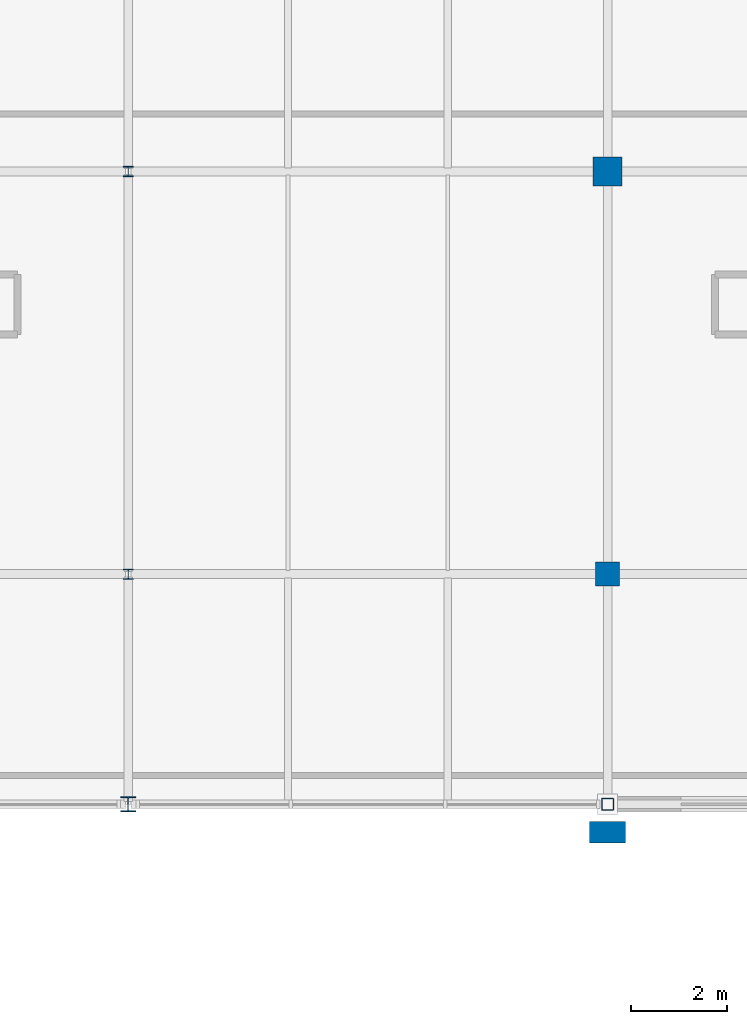
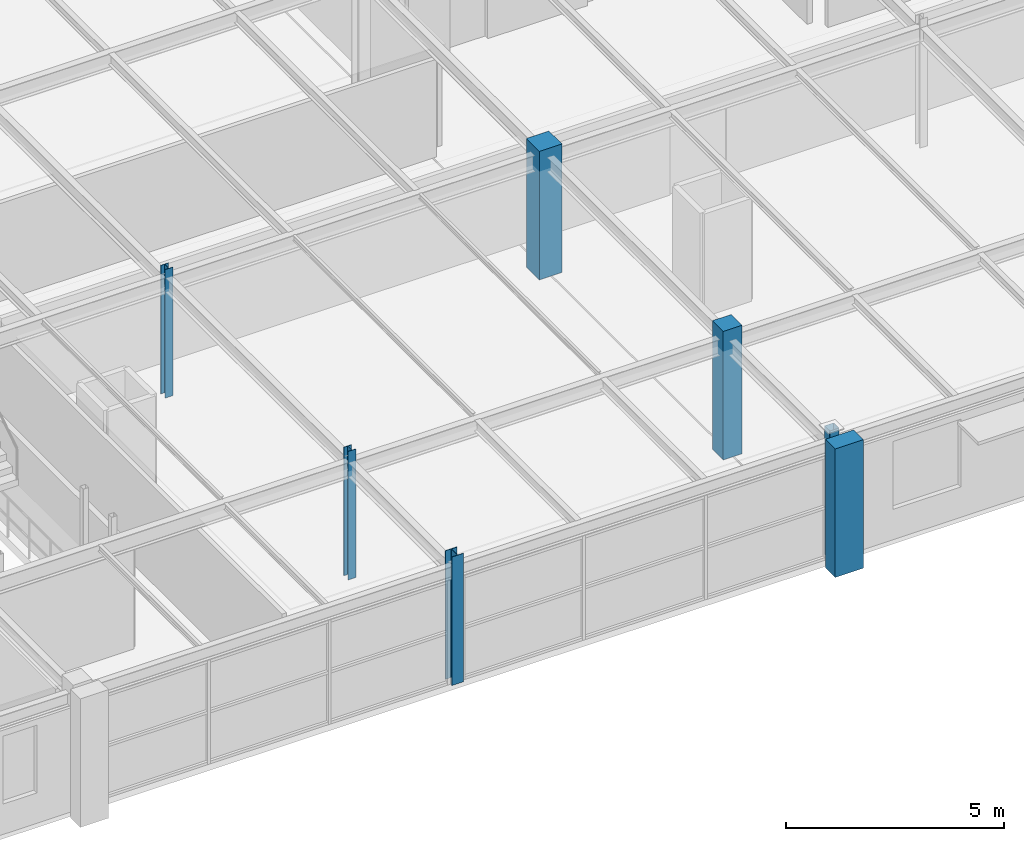
# One storey, part 19 of 109: 7 columns.
"""IFC4 building model written with IfcOpenShell, lengths in metres."""

from ifc_helpers import new_model, si_unit, derived_unit, direction, frame, origin, origin_2d_with_axis, place, context, subcontext, project, spatial, rectangle, hollow_rectangle, i_section, extrude, material, material_profile, profile_set, type_object, element, save


model = new_model("IFC4")

# Units and contexts
model_context = context("Model", 3, precision=1e-05, world=origin(), true_north=direction((0.0, 1.0)))
body_context = subcontext(model_context, "Body", "Model", "MODEL_VIEW")
ifc_project = project(units=[si_unit("LENGTHUNIT", "METRE"), si_unit("AREAUNIT", "SQUARE_METRE"), si_unit("VOLUMEUNIT", "CUBIC_METRE"), si_unit("PLANEANGLEUNIT", "RADIAN"), si_unit("MASSUNIT", "GRAM", prefix="KILO"), derived_unit("THERMALTRANSMITTANCEUNIT", [(si_unit("POWERUNIT", "WATT"), 1), (si_unit("LENGTHUNIT", "METRE"), -2), (si_unit("THERMODYNAMICTEMPERATUREUNIT", "KELVIN"), -1)])], contexts=[model_context])

# Site, building, storey
site_placement = place(None, origin())
site = spatial("IfcSite", under=ifc_project, at=site_placement, CompositionType="ELEMENT")
building_placement = place(site_placement, origin())
building = spatial("IfcBuilding", under=site, at=building_placement, Name="Cinnabar Yard Market Hall", CompositionType="ELEMENT")
storey_placement = place(building_placement, frame((0.0, 0.0, 8.39990234375)))
storey = spatial("IfcBuildingStorey", under=building, at=storey_placement, Name="L02", CompositionType="ELEMENT", Elevation=8.39990234375)

# Columns
ifc_material_1 = material(Name="Steel Grade 300 (300 MPa)", Category="steel")
ifc_material_profile_1 = material_profile(ifc_material_1, i_section(OverallWidth=0.304931640625, OverallDepth=0.30810546875, WebThickness=0.010009765625, FlangeThickness=0.015380859375, FilletRadius=0.0166015625, at=origin_2d_with_axis()), Name="310UC96.8")
ifc_profile_set_1 = profile_set([ifc_material_profile_1], Name="Steel Grade 300 (300 MPa)")
column_type_1 = type_object("IfcColumnType", Name="COL-C09E", PredefinedType="COLUMN", material=ifc_profile_set_1)
column_1_placement = place(storey_placement, frame((116.0, 108.0, 0.0), z_axis=(0.0, 0.0, 1.0), x_axis=(1.0, 0.0, 0.0)))
element("IfcColumn", 1, at=column_1_placement, inside=storey, type_object=column_type_1, Name="Wing Column V3-06-01 L02", PredefinedType="COLUMN", context=body_context, shape_type="SweptSolid", body=[
    extrude(i_section(OverallWidth=0.304931640625, OverallDepth=0.30810546875, WebThickness=0.010009765625, FlangeThickness=0.015380859375, FilletRadius=0.0166015625, at=origin_2d_with_axis()), origin(), (0.0, 0.0, 1.0), 3.60009765625),
])
ifc_material_profile_2 = material_profile(ifc_material_1, i_section(OverallWidth=0.203369140625, OverallDepth=0.203369140625, WebThickness=0.00732421875, FlangeThickness=0.010986328125, FilletRadius=0.011474609375, at=origin_2d_with_axis()), Name="200UC46.2")
ifc_profile_set_2 = profile_set([ifc_material_profile_2], Name="Steel Grade 300 (300 MPa)")
column_type_2 = type_object("IfcColumnType", Name="COL-C13", PredefinedType="COLUMN", material=ifc_profile_set_2)
column_2_placement = place(storey_placement, frame((116.0, 112.800048828125, 0.0), z_axis=(0.0, 0.0, 1.0), x_axis=(1.0, 0.0, 0.0)))
element("IfcColumn", 2, at=column_2_placement, inside=storey, type_object=column_type_2, Name="Wing Column V3-06-02 L02", PredefinedType="COLUMN", context=body_context, shape_type="SweptSolid", body=[
    extrude(i_section(OverallWidth=0.203369140625, OverallDepth=0.203369140625, WebThickness=0.00732421875, FlangeThickness=0.010986328125, FilletRadius=0.011474609375, at=origin_2d_with_axis()), origin(), (0.0, 0.0, 1.0), 3.60009765625),
])
ifc_material_profile_3 = material_profile(ifc_material_1, i_section(OverallWidth=0.205078125, OverallDepth=0.209716796875, WebThickness=0.00927734375, FlangeThickness=0.01416015625, FilletRadius=0.011474609375, at=origin_2d_with_axis()), Name="200UC59.5")
ifc_profile_set_3 = profile_set([ifc_material_profile_3], Name="Steel Grade 300 (300 MPa)")
column_type_3 = type_object("IfcColumnType", Name="COL-C17", PredefinedType="COLUMN", material=ifc_profile_set_3)
column_3_placement = place(storey_placement, frame((116.0, 121.199951171875, 0.0), z_axis=(0.0, 0.0, 1.0), x_axis=(1.0, 0.0, 0.0)))
element("IfcColumn", 3, at=column_3_placement, inside=storey, type_object=column_type_3, Name="Wing Column V3-06-03 L02", PredefinedType="COLUMN", context=body_context, shape_type="SweptSolid", body=[
    extrude(i_section(OverallWidth=0.205078125, OverallDepth=0.209716796875, WebThickness=0.00927734375, FlangeThickness=0.01416015625, FilletRadius=0.011474609375, at=origin_2d_with_axis()), origin(), (0.0, 0.0, 1.0), 3.60009765625),
])
ifc_material_2 = material(Name="Cold-formed steel C350L0", Category="steel")
ifc_material_profile_4 = material_profile(ifc_material_2, hollow_rectangle(XDim=0.25, YDim=0.25, WallThickness=0.009033203125, InnerFilletRadius=0.009033203125, OuterFilletRadius=0.01806640625, at=origin_2d_with_axis()), Name="250x250x9.0SHS")
ifc_profile_set_4 = profile_set([ifc_material_profile_4], Name="Cold-formed steel C350L0")
column_type_4 = type_object("IfcColumnType", Name="COL-C20E", PredefinedType="COLUMN", material=ifc_profile_set_4)
column_4_placement = place(storey_placement, frame((126.0, 108.0, 0.0), z_axis=(0.0, 0.0, 1.0), x_axis=(1.0, 0.0, 0.0)))
element("IfcColumn", 4, at=column_4_placement, inside=storey, type_object=column_type_4, Name="Wing Column V3-07-01 L02", PredefinedType="COLUMN", context=body_context, shape_type="SweptSolid", body=[
    extrude(hollow_rectangle(XDim=0.25, YDim=0.25, WallThickness=0.009033203125, InnerFilletRadius=0.009033203125, OuterFilletRadius=0.01806640625, at=origin_2d_with_axis()), origin(), (0.0, 0.0, 1.0), 3.60009765625),
])
ifc_material_3 = material(Name="Concrete 40 MPa", Category="concrete")
ifc_material_profile_5 = material_profile(ifc_material_3, rectangle(XDim=0.75, YDim=0.449951171875, at=origin_2d_with_axis()), Name="RC-750x450")
ifc_profile_set_5 = profile_set([ifc_material_profile_5], Name="Concrete 40 MPa")
column_type_5 = type_object("IfcColumnType", Name="COL-PIL1E", PredefinedType="PILASTER", material=ifc_profile_set_5)
column_5_placement = place(storey_placement, frame((126.0, 107.419921875, 0.0), z_axis=(0.0, 0.0, 1.0), x_axis=(1.0, 0.0, 0.0)))
element("IfcColumn", 5, at=column_5_placement, inside=storey, type_object=column_type_5, Name="Engaged Pilaster 05 L02", PredefinedType="PILASTER", context=body_context, shape_type="SweptSolid", body=[
    extrude(rectangle(XDim=0.75, YDim=0.449951171875, at=origin_2d_with_axis()), origin(), (0.0, 0.0, 1.0), 3.60009765625),
])
ifc_material_profile_6 = material_profile(ifc_material_3, rectangle(XDim=0.5, YDim=0.5, at=origin_2d_with_axis()), Name="RC-500x500")
ifc_profile_set_6 = profile_set([ifc_material_profile_6], Name="Concrete 40 MPa")
column_type_6 = type_object("IfcColumnType", Name="COL-RC1", PredefinedType="COLUMN", material=ifc_profile_set_6)
column_6_placement = place(storey_placement, frame((126.0, 112.800048828125, 0.0), z_axis=(0.0, 0.0, 1.0), x_axis=(1.0, 0.0, 0.0)))
element("IfcColumn", 6, at=column_6_placement, inside=storey, type_object=column_type_6, Name="Wing Column V3-07-02 L02", PredefinedType="COLUMN", context=body_context, shape_type="SweptSolid", body=[
    extrude(rectangle(XDim=0.5, YDim=0.5, at=origin_2d_with_axis()), origin(), (0.0, 0.0, 1.0), 3.60009765625),
])
ifc_material_profile_7 = material_profile(ifc_material_3, rectangle(XDim=0.60009765625, YDim=0.60009765625, at=origin_2d_with_axis()), Name="RC-600x600")
ifc_profile_set_7 = profile_set([ifc_material_profile_7], Name="Concrete 40 MPa")
column_type_7 = type_object("IfcColumnType", Name="COL-RC2", PredefinedType="COLUMN", material=ifc_profile_set_7)
column_7_placement = place(storey_placement, frame((126.0, 121.199951171875, 0.0), z_axis=(0.0, 0.0, 1.0), x_axis=(1.0, 0.0, 0.0)))
element("IfcColumn", 7, at=column_7_placement, inside=storey, type_object=column_type_7, Name="Wing Column V3-07-03 L02", PredefinedType="COLUMN", context=body_context, shape_type="SweptSolid", body=[
    extrude(rectangle(XDim=0.60009765625, YDim=0.60009765625, at=origin_2d_with_axis()), origin(), (0.0, 0.0, 1.0), 3.60009765625),
])

save(model, "model.ifc")
